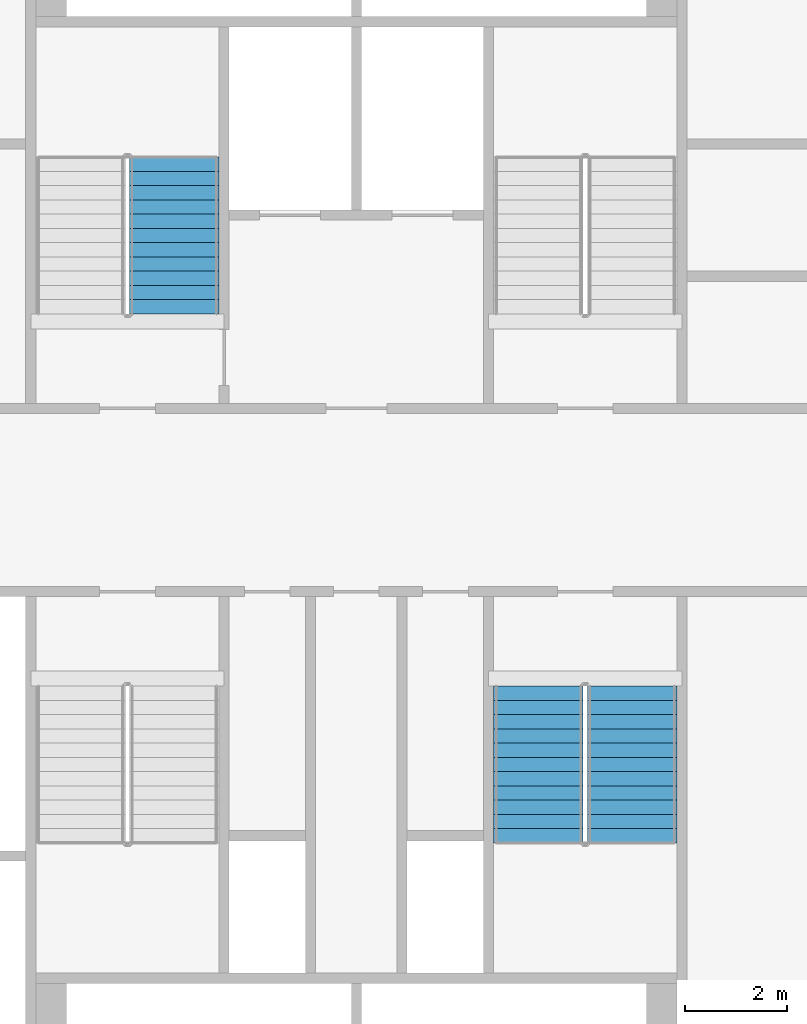
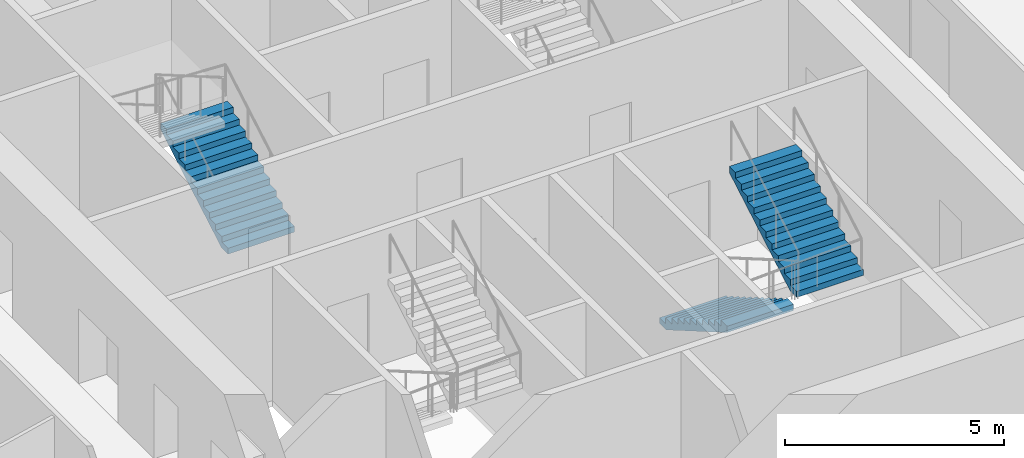
# One storey, part 15 of 22: 3 stair flights, 2 elements without a shape of their own.
"""IFC4 building model written with IfcOpenShell, lengths in metres."""

import ifcopenshell
import ifcopenshell.guid

model = None  # the IFC model being written
_history = None  # IfcOwnerHistory: only IFC2X3 demands one
_inside = {}  # id of a spatial element -> (the spatial element, [elements in it])
_under = {}  # id of a project, library or spatial element -> (it, [spatial elements below it])
_declared = {}  # id of a project -> (the project, [libraries it declares])
_typed = {}  # id of a type object -> (the type object, [elements of that type])
_made_of = {}  # id of a material, layer set ... -> (it, [elements and type objects made of it])


def new_model(schema):
    """Start an empty IFC model of exactly this schema.

    Asked for "IFC4X3", IfcOpenShell would pick the latest addendum, in which some entities
    have other attributes; the version numbers below select the first issue.
    IFC2X3 requires an IfcOwnerHistory on every rooted entity: one is made here for all.
    """
    global model, _history
    if schema == "IFC4X3":
        model = ifcopenshell.file(schema_version=(4, 3, 0, 0))
    else:
        model = ifcopenshell.file(schema=schema)
    _inside.clear()
    _under.clear()
    _declared.clear()
    _typed.clear()
    _made_of.clear()
    _history = None
    if model.schema == "IFC2X3":
        org = make("IfcOrganization", Name="unknown")
        user = make(
            "IfcPersonAndOrganization",
            ThePerson=make("IfcPerson", FamilyName="unknown"),
            TheOrganization=org,
        )
        app = make(
            "IfcApplication",
            ApplicationDeveloper=org,
            Version="unknown",
            ApplicationFullName="unknown",
            ApplicationIdentifier="unknown",
        )
        _history = make(
            "IfcOwnerHistory",
            OwningUser=user,
            OwningApplication=app,
            ChangeAction="ADDED",
            CreationDate=0,
        )
    return model


def make(cls, **values):
    """One entity of the class cls with the attributes given. An attribute that is None is left unset."""
    return model.create_entity(
        cls, **{name: value for name, value in values.items() if value is not None}
    )


def rooted(cls, **values):
    """An entity with a GlobalId (a new one), such as an element, a storey or a relation."""
    return make(cls, GlobalId=ifcopenshell.guid.new(), OwnerHistory=_history, **values)


def si_unit(unit_type, name, prefix=None):
    """IfcSIUnit, for example si_unit("LENGTHUNIT", "METRE", prefix="MILLI")."""
    return make("IfcSIUnit", UnitType=unit_type, Prefix=prefix, Name=name)


def assignment(units):
    """IfcUnitAssignment: the units of a project."""
    return None if units is None else make("IfcUnitAssignment", Units=units)


def point(xyz):
    """IfcCartesianPoint."""
    return None if xyz is None else make("IfcCartesianPoint", Coordinates=xyz)


def direction(xyz):
    """IfcDirection."""
    return None if xyz is None else make("IfcDirection", DirectionRatios=xyz)


def frame(location, z_axis=None, x_axis=None):
    """IfcAxis2Placement3D, a coordinate frame: its origin and axes. An axis left out is left unset."""
    return make(
        "IfcAxis2Placement3D",
        Location=point(location),
        Axis=direction(z_axis),
        RefDirection=direction(x_axis),
    )


def origin():
    """The frame at (0, 0, 0) with its axes left unset."""
    return frame((0.0, 0.0, 0.0))


def place(relative_to, where):
    """IfcLocalPlacement: puts the frame where relative to a parent placement (None: the world)."""
    return make(
        "IfcLocalPlacement", PlacementRelTo=relative_to, RelativePlacement=where
    )


def context(
    kind, dimensions, precision=None, world=None, true_north=None, identifier=None
):
    """IfcGeometricRepresentationContext, for example the 3D "Model" context."""
    return make(
        "IfcGeometricRepresentationContext",
        ContextIdentifier=identifier,
        ContextType=kind,
        CoordinateSpaceDimension=dimensions,
        Precision=precision,
        WorldCoordinateSystem=world,
        TrueNorth=true_north,
    )


def subcontext(parent, identifier, kind, view, scale=None):
    """IfcGeometricRepresentationSubContext, for example "Body" below "Model"."""
    return make(
        "IfcGeometricRepresentationSubContext",
        ContextIdentifier=identifier,
        ContextType=kind,
        ParentContext=parent,
        TargetScale=scale,
        TargetView=view,
    )


def project(units=None, contexts=None):
    """IfcProject with its units and contexts."""
    return rooted(
        "IfcProject",
        Name="project",
        RepresentationContexts=contexts,
        UnitsInContext=assignment(units),
    )


def spatial(cls, under=None, at=None, **own):
    """A site, building, storey or space (cls), placed at a placement, below another one or the project."""
    s = rooted(cls, ObjectPlacement=at, **own)
    if under is not None:
        _under.setdefault(under.id(), (under, []))[1].append(s)
    return s


def faces_of(points, faces, orient=None, outer=None):
    """IfcFace entities. A face is a list of loops; a loop is a list of indices into points, from 0.

    orient and outer hold one flag for each loop. By default every Orientation is true, the
    first loop of a face is its IfcFaceOuterBound and the others are IfcFaceBound.
    """
    made = []
    for i, loops in enumerate(faces):
        bounds = []
        for j, loop in enumerate(loops):
            is_outer = j == 0 if outer is None else outer[i][j]
            bounds.append(
                make(
                    "IfcFaceOuterBound" if is_outer else "IfcFaceBound",
                    Bound=make("IfcPolyLoop", Polygon=[points[k] for k in loop]),
                    Orientation=True if orient is None else orient[i][j],
                )
            )
        made.append(make("IfcFace", Bounds=bounds))
    return made


def faceted_brep(points, faces, orient=None, outer=None, voids=None):
    """IfcFacetedBrep: a solid bounded by flat faces; with voids (closed shells), ...WithVoids."""
    shared = [point(p) for p in points]
    hull = make("IfcClosedShell", CfsFaces=faces_of(shared, faces, orient, outer))
    if voids is None:
        return make("IfcFacetedBrep", Outer=hull)
    return make(
        "IfcFacetedBrepWithVoids",
        Outer=hull,
        Voids=[
            make(cls, CfsFaces=faces_of(shared, fs, o, b)) for cls, fs, o, b in voids
        ],
    )


def shape(context_of_items, identifier, shape_type, items):
    """IfcShapeRepresentation: the items that make up one representation, for example the "Body"."""
    return make(
        "IfcShapeRepresentation",
        ContextOfItems=context_of_items,
        RepresentationIdentifier=identifier,
        RepresentationType=shape_type,
        Items=items,
    )


def material(Name=None, Category=None):
    """IfcMaterial."""
    return make("IfcMaterial", Name=Name, Category=Category)


def made_of(thing, what):
    """Note that an element or type object is made of a material, layer set ...; save() writes the relation."""
    if what is not None:
        _made_of.setdefault(what.id(), (what, []))[1].append(thing)
    return thing


def type_object(cls, material=None, **own):
    """A type object (cls), such as IfcWallType, which elements share."""
    return made_of(rooted(cls, **own), material)


def element(
    cls,
    number,
    at=None,
    inside=None,
    cuts=None,
    type_object=None,
    material=None,
    context=None,
    identifier="Body",
    shape_type=None,
    held_by="IfcProductDefinitionShape",
    body=None,
    shapes=None,
    **own,
):
    """One element of the class cls, such as IfcWall. Its Tag is "e" and its number.

    at: its placement. inside: the storey or other place that contains it. cuts: it is an
    opening in that element (IfcRelVoidsElement). A single representation is given by context,
    identifier, shape_type and body (its items); several are given by shapes. held_by: the class
    of the entity that holds the representations. save() writes the other relations.
    """
    e = rooted(cls, Tag="e%d" % number, ObjectPlacement=at, **own)
    if body is not None:
        shapes = [shape(context, identifier, shape_type, body)]
    if shapes is not None:
        e.Representation = make(held_by, Representations=shapes)
    if inside is not None:
        _inside.setdefault(inside.id(), (inside, []))[1].append(e)
    if cuts is not None:
        rooted(
            "IfcRelVoidsElement", RelatingBuildingElement=cuts, RelatedOpeningElement=e
        )
    if type_object is not None:
        _typed.setdefault(type_object.id(), (type_object, []))[1].append(e)
    return made_of(e, material)


def aggregate(whole, parts):
    """IfcRelAggregates: a whole, such as a stair, and the parts it consists of."""
    return rooted("IfcRelAggregates", RelatingObject=whole, RelatedObjects=parts)


def save(model, path):
    """Write the relations noted so far, then the file.

    IfcRelAggregates (storeys below a building ...), IfcRelContainedInSpatialStructure (elements
    in a storey), IfcRelDefinesByType, IfcRelAssociatesMaterial and IfcRelDeclares: one each for
    every whole, place, type object, material and project.
    """
    for whole, parts in _under.values():
        aggregate(whole, parts)
    for where, things in _inside.values():
        rooted(
            "IfcRelContainedInSpatialStructure",
            RelatedElements=things,
            RelatingStructure=where,
        )
    for kind, things in _typed.values():
        rooted("IfcRelDefinesByType", RelatedObjects=things, RelatingType=kind)
    for what, things in _made_of.values():
        rooted("IfcRelAssociatesMaterial", RelatedObjects=things, RelatingMaterial=what)
    for by, libraries in _declared.values():
        rooted("IfcRelDeclares", RelatingContext=by, RelatedDefinitions=libraries)
    model.write(path)


model = new_model("IFC4")

# Units and contexts
model_context = context("Model", 3, precision=1e-05, world=origin(), true_north=direction((0.0, 1.0)))
body_context = subcontext(model_context, "Body", "Model", "MODEL_VIEW")
ifc_project = project(units=[si_unit("LENGTHUNIT", "METRE"), si_unit("AREAUNIT", "SQUARE_METRE"), si_unit("VOLUMEUNIT", "CUBIC_METRE"), si_unit("PLANEANGLEUNIT", "RADIAN"), si_unit("MASSUNIT", "GRAM", prefix="KILO")], contexts=[model_context])

# Site, building, storey
site_placement = place(None, origin())
site = spatial("IfcSite", under=ifc_project, at=site_placement, CompositionType="ELEMENT")
building_placement = place(site_placement, origin())
building = spatial("IfcBuilding", under=site, at=building_placement, Name="Tarsis Ring Headquarters", CompositionType="ELEMENT")
storey_placement = place(building_placement, frame((0.0, 0.0, 116.199951171875)))
storey = spatial("IfcBuildingStorey", under=building, at=storey_placement, Name="L26", CompositionType="ELEMENT", Elevation=116.199951171875)

# Stair, stair flight
ifc_material_1 = material(Name="Core stair 1760")
stair_type = type_object("IfcStairType", Name="Core stair 1760", PredefinedType="HALF_TURN_STAIR", material=ifc_material_1)
stair_1_placement = place(storey_placement, origin())
stair_1 = element("IfcStair", 1, at=stair_1_placement, inside=storey, type_object=stair_type, Name="L26 Firefighting stair", PredefinedType="HALF_TURN_STAIR")
ifc_material_2 = material(Name="Concrete C40/50", Category="concrete")
stair_flight_type = type_object("IfcStairFlightType", Name="Core stair flight 1760", PredefinedType="STRAIGHT", material=ifc_material_2)
stair_flight_1_placement = place(storey_placement, frame((-3.580078125, 3.659912109375, 0.0), z_axis=(0.0, 0.0, 1.0), x_axis=(0.0, 1.0, 0.0)))
stair_flight_1 = element("IfcStairFlight", 2, at=stair_flight_1_placement, type_object=stair_flight_type, Name="Stair ST1 flight 1", NumberOfRisers=12, NumberOfTreads=11, PredefinedType="STRAIGHT", RiserHeight=0.1625, TreadLength=0.28, context=body_context, shape_type="Brep", body=[
    faceted_brep([(0.0, 0.8798828125, 0.0), (0.0, 0.8798828125, 0.16259765625), (0.280029296875, 0.8798828125, 0.16259765625), (0.280029296875, 0.8798828125, 0.324951171875), (0.56005859375, 0.8798828125, 0.324951171875), (0.56005859375, 0.8798828125, 0.487548828125), (0.840087890625, 0.8798828125, 0.487548828125), (0.840087890625, 0.8798828125, 0.64990234375), (1.1201171875, 0.8798828125, 0.64990234375), (1.1201171875, 0.8798828125, 0.8125), (1.39990234375, 0.8798828125, 0.8125), (1.39990234375, 0.8798828125, 0.97509765625), (1.679931640625, 0.8798828125, 0.97509765625), (1.679931640625, 0.8798828125, 1.137451171875), (1.9599609375, 0.8798828125, 1.137451171875), (1.9599609375, 0.8798828125, 1.300048828125), (2.239990234375, 0.8798828125, 1.300048828125), (2.239990234375, 0.8798828125, 1.46240234375), (2.52001953125, 0.8798828125, 1.46240234375), (2.52001953125, 0.8798828125, 1.625), (2.800048828125, 0.8798828125, 1.625), (2.800048828125, 0.8798828125, 1.78759765625), (3.080078125, 0.8798828125, 1.78759765625), (3.080078125, 0.8798828125, 1.6142578125), (0.298583984375, 0.8798828125, 0.0), (0.298583984375, -0.8798828125, 0.0), (3.080078125, -0.8798828125, 1.6142578125), (3.080078125, -0.8798828125, 1.78759765625), (2.800048828125, -0.8798828125, 1.78759765625), (2.800048828125, -0.8798828125, 1.625), (2.52001953125, -0.8798828125, 1.625), (2.52001953125, -0.8798828125, 1.46240234375), (2.239990234375, -0.8798828125, 1.46240234375), (2.239990234375, -0.8798828125, 1.300048828125), (1.9599609375, -0.8798828125, 1.300048828125), (1.9599609375, -0.8798828125, 1.137451171875), (1.679931640625, -0.8798828125, 1.137451171875), (1.679931640625, -0.8798828125, 0.97509765625), (1.39990234375, -0.8798828125, 0.97509765625), (1.39990234375, -0.8798828125, 0.8125), (1.1201171875, -0.8798828125, 0.8125), (1.1201171875, -0.8798828125, 0.64990234375), (0.840087890625, -0.8798828125, 0.64990234375), (0.840087890625, -0.8798828125, 0.487548828125), (0.56005859375, -0.8798828125, 0.487548828125), (0.56005859375, -0.8798828125, 0.324951171875), (0.280029296875, -0.8798828125, 0.324951171875), (0.280029296875, -0.8798828125, 0.16259765625), (0.0, -0.8798828125, 0.16259765625), (0.0, -0.8798828125, 0.0), (0.0, -0.43994140625, 0.16259765625), (0.0, -0.43994140625, 0.0), (0.0, 0.0, 0.16259765625), (0.0, 0.0, 0.0), (0.0, 0.43994140625, 0.16259765625), (0.0, 0.43994140625, 0.0), (0.280029296875, -0.43994140625, 0.16259765625), (0.280029296875, 0.0, 0.16259765625), (0.280029296875, 0.43994140625, 0.16259765625), (0.280029296875, -0.43994140625, 0.324951171875), (0.280029296875, 0.0, 0.324951171875), (0.280029296875, 0.43994140625, 0.324951171875), (0.56005859375, -0.43994140625, 0.324951171875), (0.56005859375, 0.0, 0.324951171875), (0.56005859375, 0.43994140625, 0.324951171875), (0.56005859375, -0.43994140625, 0.487548828125), (0.56005859375, 0.0, 0.487548828125), (0.56005859375, 0.43994140625, 0.487548828125), (0.840087890625, -0.43994140625, 0.487548828125), (0.840087890625, 0.0, 0.487548828125), (0.840087890625, 0.43994140625, 0.487548828125), (0.840087890625, -0.43994140625, 0.64990234375), (0.840087890625, 0.0, 0.64990234375), (0.840087890625, 0.43994140625, 0.64990234375), (1.1201171875, -0.43994140625, 0.64990234375), (1.1201171875, 0.0, 0.64990234375), (1.1201171875, 0.43994140625, 0.64990234375), (1.1201171875, -0.43994140625, 0.8125), (1.1201171875, 0.0, 0.8125), (1.1201171875, 0.43994140625, 0.8125), (1.39990234375, -0.43994140625, 0.8125), (1.39990234375, 0.0, 0.8125), (1.39990234375, 0.43994140625, 0.8125), (1.39990234375, -0.43994140625, 0.97509765625), (1.39990234375, 0.0, 0.97509765625), (1.39990234375, 0.43994140625, 0.97509765625), (1.679931640625, -0.43994140625, 0.97509765625), (1.679931640625, 0.0, 0.97509765625), (1.679931640625, 0.43994140625, 0.97509765625), (1.679931640625, -0.43994140625, 1.137451171875), (1.679931640625, 0.0, 1.137451171875), (1.679931640625, 0.43994140625, 1.137451171875), (1.9599609375, -0.43994140625, 1.137451171875), (1.9599609375, 0.0, 1.137451171875), (1.9599609375, 0.43994140625, 1.137451171875), (1.9599609375, -0.43994140625, 1.300048828125), (1.9599609375, 0.0, 1.300048828125), (1.9599609375, 0.43994140625, 1.300048828125), (2.239990234375, -0.43994140625, 1.300048828125), (2.239990234375, 0.0, 1.300048828125), (2.239990234375, 0.43994140625, 1.300048828125), (2.239990234375, -0.43994140625, 1.46240234375), (2.239990234375, 0.0, 1.46240234375), (2.239990234375, 0.43994140625, 1.46240234375), (2.52001953125, -0.43994140625, 1.46240234375), (2.52001953125, 0.0, 1.46240234375), (2.52001953125, 0.43994140625, 1.46240234375), (2.52001953125, -0.43994140625, 1.625), (2.52001953125, 0.0, 1.625), (2.52001953125, 0.43994140625, 1.625), (2.800048828125, -0.43994140625, 1.625), (2.800048828125, 0.0, 1.625), (2.800048828125, 0.43994140625, 1.625), (2.800048828125, -0.43994140625, 1.78759765625), (2.800048828125, 0.0, 1.78759765625), (2.800048828125, 0.43994140625, 1.78759765625), (3.080078125, -0.43994140625, 1.78759765625), (3.080078125, 0.0, 1.78759765625), (3.080078125, 0.43994140625, 1.78759765625), (3.080078125, -0.43994140625, 1.6142578125), (3.080078125, 0.0, 1.6142578125), (3.080078125, 0.43994140625, 1.6142578125), (0.298583984375, -0.43994140625, 0.0), (0.298583984375, 0.0, 0.0), (0.298583984375, 0.43994140625, 0.0)], [[[0, 1, 2, 3, 4, 5, 6, 7, 8, 9, 10, 11, 12, 13, 14, 15, 16, 17, 18, 19, 20, 21, 22, 23, 24]], [[25, 26, 27, 28, 29, 30, 31, 32, 33, 34, 35, 36, 37, 38, 39, 40, 41, 42, 43, 44, 45, 46, 47, 48, 49]], [[49, 48, 50, 51]], [[51, 50, 52, 53]], [[53, 52, 54, 55]], [[55, 54, 1, 0]], [[48, 47, 56, 50]], [[50, 56, 57, 52]], [[52, 57, 58, 54]], [[54, 58, 2, 1]], [[47, 46, 59, 56]], [[56, 59, 60, 57]], [[57, 60, 61, 58]], [[58, 61, 3, 2]], [[46, 45, 62, 59]], [[59, 62, 63, 60]], [[60, 63, 64, 61]], [[61, 64, 4, 3]], [[45, 44, 65, 62]], [[62, 65, 66, 63]], [[63, 66, 67, 64]], [[64, 67, 5, 4]], [[44, 43, 68, 65]], [[65, 68, 69, 66]], [[66, 69, 70, 67]], [[67, 70, 6, 5]], [[43, 42, 71, 68]], [[68, 71, 72, 69]], [[69, 72, 73, 70]], [[70, 73, 7, 6]], [[42, 41, 74, 71]], [[71, 74, 75, 72]], [[72, 75, 76, 73]], [[73, 76, 8, 7]], [[41, 40, 77, 74]], [[74, 77, 78, 75]], [[75, 78, 79, 76]], [[76, 79, 9, 8]], [[40, 39, 80, 77]], [[77, 80, 81, 78]], [[78, 81, 82, 79]], [[79, 82, 10, 9]], [[39, 38, 83, 80]], [[80, 83, 84, 81]], [[81, 84, 85, 82]], [[82, 85, 11, 10]], [[38, 37, 86, 83]], [[83, 86, 87, 84]], [[84, 87, 88, 85]], [[85, 88, 12, 11]], [[37, 36, 89, 86]], [[86, 89, 90, 87]], [[87, 90, 91, 88]], [[88, 91, 13, 12]], [[36, 35, 92, 89]], [[89, 92, 93, 90]], [[90, 93, 94, 91]], [[91, 94, 14, 13]], [[35, 34, 95, 92]], [[92, 95, 96, 93]], [[93, 96, 97, 94]], [[94, 97, 15, 14]], [[34, 33, 98, 95]], [[95, 98, 99, 96]], [[96, 99, 100, 97]], [[97, 100, 16, 15]], [[33, 32, 101, 98]], [[98, 101, 102, 99]], [[99, 102, 103, 100]], [[100, 103, 17, 16]], [[32, 31, 104, 101]], [[101, 104, 105, 102]], [[102, 105, 106, 103]], [[103, 106, 18, 17]], [[31, 30, 107, 104]], [[104, 107, 108, 105]], [[105, 108, 109, 106]], [[106, 109, 19, 18]], [[30, 29, 110, 107]], [[107, 110, 111, 108]], [[108, 111, 112, 109]], [[109, 112, 20, 19]], [[29, 28, 113, 110]], [[110, 113, 114, 111]], [[111, 114, 115, 112]], [[112, 115, 21, 20]], [[28, 27, 116, 113]], [[113, 116, 117, 114]], [[114, 117, 118, 115]], [[115, 118, 22, 21]], [[27, 26, 119, 116]], [[116, 119, 120, 117]], [[117, 120, 121, 118]], [[118, 121, 23, 22]], [[26, 25, 122, 119]], [[119, 122, 123, 120]], [[120, 123, 124, 121]], [[121, 124, 24, 23]], [[25, 49, 51, 122]], [[122, 51, 53, 123]], [[123, 53, 55, 124]], [[124, 55, 0, 24]]]),
])
aggregate(stair_1, [stair_flight_1])

# Stair, stair flights
stair_2_placement = place(storey_placement, origin())
stair_2 = element("IfcStair", 3, at=stair_2_placement, inside=storey, type_object=stair_type, Name="L26 Exit stair D", PredefinedType="HALF_TURN_STAIR")
stair_flight_2_placement = place(storey_placement, frame((3.580078125, -3.659912109375, 0.0), z_axis=(0.0, 0.0, 1.0), x_axis=(0.0, -1.0, 0.0)))
stair_flight_2 = element("IfcStairFlight", 4, at=stair_flight_2_placement, type_object=stair_flight_type, Name="Stair ST4 flight 1", NumberOfRisers=12, NumberOfTreads=11, PredefinedType="STRAIGHT", RiserHeight=0.1625, TreadLength=0.28, context=body_context, shape_type="Brep", body=[
    faceted_brep([(0.0, 0.8798828125, 0.0), (0.0, 0.8798828125, 0.16259765625), (0.280029296875, 0.8798828125, 0.16259765625), (0.280029296875, 0.8798828125, 0.324951171875), (0.56005859375, 0.8798828125, 0.324951171875), (0.56005859375, 0.8798828125, 0.487548828125), (0.840087890625, 0.8798828125, 0.487548828125), (0.840087890625, 0.8798828125, 0.64990234375), (1.1201171875, 0.8798828125, 0.64990234375), (1.1201171875, 0.8798828125, 0.8125), (1.39990234375, 0.8798828125, 0.8125), (1.39990234375, 0.8798828125, 0.97509765625), (1.679931640625, 0.8798828125, 0.97509765625), (1.679931640625, 0.8798828125, 1.137451171875), (1.9599609375, 0.8798828125, 1.137451171875), (1.9599609375, 0.8798828125, 1.300048828125), (2.239990234375, 0.8798828125, 1.300048828125), (2.239990234375, 0.8798828125, 1.46240234375), (2.52001953125, 0.8798828125, 1.46240234375), (2.52001953125, 0.8798828125, 1.625), (2.800048828125, 0.8798828125, 1.625), (2.800048828125, 0.8798828125, 1.78759765625), (3.080078125, 0.8798828125, 1.78759765625), (3.080078125, 0.8798828125, 1.6142578125), (0.298583984375, 0.8798828125, 0.0), (0.298583984375, -0.8798828125, 0.0), (3.080078125, -0.8798828125, 1.6142578125), (3.080078125, -0.8798828125, 1.78759765625), (2.800048828125, -0.8798828125, 1.78759765625), (2.800048828125, -0.8798828125, 1.625), (2.52001953125, -0.8798828125, 1.625), (2.52001953125, -0.8798828125, 1.46240234375), (2.239990234375, -0.8798828125, 1.46240234375), (2.239990234375, -0.8798828125, 1.300048828125), (1.9599609375, -0.8798828125, 1.300048828125), (1.9599609375, -0.8798828125, 1.137451171875), (1.679931640625, -0.8798828125, 1.137451171875), (1.679931640625, -0.8798828125, 0.97509765625), (1.39990234375, -0.8798828125, 0.97509765625), (1.39990234375, -0.8798828125, 0.8125), (1.1201171875, -0.8798828125, 0.8125), (1.1201171875, -0.8798828125, 0.64990234375), (0.840087890625, -0.8798828125, 0.64990234375), (0.840087890625, -0.8798828125, 0.487548828125), (0.56005859375, -0.8798828125, 0.487548828125), (0.56005859375, -0.8798828125, 0.324951171875), (0.280029296875, -0.8798828125, 0.324951171875), (0.280029296875, -0.8798828125, 0.16259765625), (0.0, -0.8798828125, 0.16259765625), (0.0, -0.8798828125, 0.0), (0.0, -0.43994140625, 0.16259765625), (0.0, -0.43994140625, 0.0), (0.0, 0.0, 0.16259765625), (0.0, 0.0, 0.0), (0.0, 0.43994140625, 0.16259765625), (0.0, 0.43994140625, 0.0), (0.280029296875, -0.43994140625, 0.16259765625), (0.280029296875, 0.0, 0.16259765625), (0.280029296875, 0.43994140625, 0.16259765625), (0.280029296875, -0.43994140625, 0.324951171875), (0.280029296875, 0.0, 0.324951171875), (0.280029296875, 0.43994140625, 0.324951171875), (0.56005859375, -0.43994140625, 0.324951171875), (0.56005859375, 0.0, 0.324951171875), (0.56005859375, 0.43994140625, 0.324951171875), (0.56005859375, -0.43994140625, 0.487548828125), (0.56005859375, 0.0, 0.487548828125), (0.56005859375, 0.43994140625, 0.487548828125), (0.840087890625, -0.43994140625, 0.487548828125), (0.840087890625, 0.0, 0.487548828125), (0.840087890625, 0.43994140625, 0.487548828125), (0.840087890625, -0.43994140625, 0.64990234375), (0.840087890625, 0.0, 0.64990234375), (0.840087890625, 0.43994140625, 0.64990234375), (1.1201171875, -0.43994140625, 0.64990234375), (1.1201171875, 0.0, 0.64990234375), (1.1201171875, 0.43994140625, 0.64990234375), (1.1201171875, -0.43994140625, 0.8125), (1.1201171875, 0.0, 0.8125), (1.1201171875, 0.43994140625, 0.8125), (1.39990234375, -0.43994140625, 0.8125), (1.39990234375, 0.0, 0.8125), (1.39990234375, 0.43994140625, 0.8125), (1.39990234375, -0.43994140625, 0.97509765625), (1.39990234375, 0.0, 0.97509765625), (1.39990234375, 0.43994140625, 0.97509765625), (1.679931640625, -0.43994140625, 0.97509765625), (1.679931640625, 0.0, 0.97509765625), (1.679931640625, 0.43994140625, 0.97509765625), (1.679931640625, -0.43994140625, 1.137451171875), (1.679931640625, 0.0, 1.137451171875), (1.679931640625, 0.43994140625, 1.137451171875), (1.9599609375, -0.43994140625, 1.137451171875), (1.9599609375, 0.0, 1.137451171875), (1.9599609375, 0.43994140625, 1.137451171875), (1.9599609375, -0.43994140625, 1.300048828125), (1.9599609375, 0.0, 1.300048828125), (1.9599609375, 0.43994140625, 1.300048828125), (2.239990234375, -0.43994140625, 1.300048828125), (2.239990234375, 0.0, 1.300048828125), (2.239990234375, 0.43994140625, 1.300048828125), (2.239990234375, -0.43994140625, 1.46240234375), (2.239990234375, 0.0, 1.46240234375), (2.239990234375, 0.43994140625, 1.46240234375), (2.52001953125, -0.43994140625, 1.46240234375), (2.52001953125, 0.0, 1.46240234375), (2.52001953125, 0.43994140625, 1.46240234375), (2.52001953125, -0.43994140625, 1.625), (2.52001953125, 0.0, 1.625), (2.52001953125, 0.43994140625, 1.625), (2.800048828125, -0.43994140625, 1.625), (2.800048828125, 0.0, 1.625), (2.800048828125, 0.43994140625, 1.625), (2.800048828125, -0.43994140625, 1.78759765625), (2.800048828125, 0.0, 1.78759765625), (2.800048828125, 0.43994140625, 1.78759765625), (3.080078125, -0.43994140625, 1.78759765625), (3.080078125, 0.0, 1.78759765625), (3.080078125, 0.43994140625, 1.78759765625), (3.080078125, -0.43994140625, 1.6142578125), (3.080078125, 0.0, 1.6142578125), (3.080078125, 0.43994140625, 1.6142578125), (0.298583984375, -0.43994140625, 0.0), (0.298583984375, 0.0, 0.0), (0.298583984375, 0.43994140625, 0.0)], [[[0, 1, 2, 3, 4, 5, 6, 7, 8, 9, 10, 11, 12, 13, 14, 15, 16, 17, 18, 19, 20, 21, 22, 23, 24]], [[25, 26, 27, 28, 29, 30, 31, 32, 33, 34, 35, 36, 37, 38, 39, 40, 41, 42, 43, 44, 45, 46, 47, 48, 49]], [[49, 48, 50, 51]], [[51, 50, 52, 53]], [[53, 52, 54, 55]], [[55, 54, 1, 0]], [[48, 47, 56, 50]], [[50, 56, 57, 52]], [[52, 57, 58, 54]], [[54, 58, 2, 1]], [[47, 46, 59, 56]], [[56, 59, 60, 57]], [[57, 60, 61, 58]], [[58, 61, 3, 2]], [[46, 45, 62, 59]], [[59, 62, 63, 60]], [[60, 63, 64, 61]], [[61, 64, 4, 3]], [[45, 44, 65, 62]], [[62, 65, 66, 63]], [[63, 66, 67, 64]], [[64, 67, 5, 4]], [[44, 43, 68, 65]], [[65, 68, 69, 66]], [[66, 69, 70, 67]], [[67, 70, 6, 5]], [[43, 42, 71, 68]], [[68, 71, 72, 69]], [[69, 72, 73, 70]], [[70, 73, 7, 6]], [[42, 41, 74, 71]], [[71, 74, 75, 72]], [[72, 75, 76, 73]], [[73, 76, 8, 7]], [[41, 40, 77, 74]], [[74, 77, 78, 75]], [[75, 78, 79, 76]], [[76, 79, 9, 8]], [[40, 39, 80, 77]], [[77, 80, 81, 78]], [[78, 81, 82, 79]], [[79, 82, 10, 9]], [[39, 38, 83, 80]], [[80, 83, 84, 81]], [[81, 84, 85, 82]], [[82, 85, 11, 10]], [[38, 37, 86, 83]], [[83, 86, 87, 84]], [[84, 87, 88, 85]], [[85, 88, 12, 11]], [[37, 36, 89, 86]], [[86, 89, 90, 87]], [[87, 90, 91, 88]], [[88, 91, 13, 12]], [[36, 35, 92, 89]], [[89, 92, 93, 90]], [[90, 93, 94, 91]], [[91, 94, 14, 13]], [[35, 34, 95, 92]], [[92, 95, 96, 93]], [[93, 96, 97, 94]], [[94, 97, 15, 14]], [[34, 33, 98, 95]], [[95, 98, 99, 96]], [[96, 99, 100, 97]], [[97, 100, 16, 15]], [[33, 32, 101, 98]], [[98, 101, 102, 99]], [[99, 102, 103, 100]], [[100, 103, 17, 16]], [[32, 31, 104, 101]], [[101, 104, 105, 102]], [[102, 105, 106, 103]], [[103, 106, 18, 17]], [[31, 30, 107, 104]], [[104, 107, 108, 105]], [[105, 108, 109, 106]], [[106, 109, 19, 18]], [[30, 29, 110, 107]], [[107, 110, 111, 108]], [[108, 111, 112, 109]], [[109, 112, 20, 19]], [[29, 28, 113, 110]], [[110, 113, 114, 111]], [[111, 114, 115, 112]], [[112, 115, 21, 20]], [[28, 27, 116, 113]], [[113, 116, 117, 114]], [[114, 117, 118, 115]], [[115, 118, 22, 21]], [[27, 26, 119, 116]], [[116, 119, 120, 117]], [[117, 120, 121, 118]], [[118, 121, 23, 22]], [[26, 25, 122, 119]], [[119, 122, 123, 120]], [[120, 123, 124, 121]], [[121, 124, 24, 23]], [[25, 49, 51, 122]], [[122, 51, 53, 123]], [[123, 53, 55, 124]], [[124, 55, 0, 24]]]),
])
stair_flight_3_placement = place(storey_placement, frame((5.419921875, -6.739990234375, 1.949951171875), z_axis=(0.0, 0.0, 1.0), x_axis=(0.0, 1.0, 0.0)))
stair_flight_3 = element("IfcStairFlight", 5, at=stair_flight_3_placement, type_object=stair_flight_type, Name="Stair ST4 flight 2", NumberOfRisers=12, NumberOfTreads=11, PredefinedType="STRAIGHT", RiserHeight=0.1625, TreadLength=0.28, context=body_context, shape_type="Brep", body=[
    faceted_brep([(0.0, 0.8798828125, 0.0), (0.0, 0.8798828125, 0.16259765625), (0.280029296875, 0.8798828125, 0.16259765625), (0.280029296875, 0.8798828125, 0.324951171875), (0.56005859375, 0.8798828125, 0.324951171875), (0.56005859375, 0.8798828125, 0.487548828125), (0.840087890625, 0.8798828125, 0.487548828125), (0.840087890625, 0.8798828125, 0.64990234375), (1.1201171875, 0.8798828125, 0.64990234375), (1.1201171875, 0.8798828125, 0.8125), (1.39990234375, 0.8798828125, 0.8125), (1.39990234375, 0.8798828125, 0.97509765625), (1.679931640625, 0.8798828125, 0.97509765625), (1.679931640625, 0.8798828125, 1.137451171875), (1.9599609375, 0.8798828125, 1.137451171875), (1.9599609375, 0.8798828125, 1.300048828125), (2.239990234375, 0.8798828125, 1.300048828125), (2.239990234375, 0.8798828125, 1.46240234375), (2.52001953125, 0.8798828125, 1.46240234375), (2.52001953125, 0.8798828125, 1.625), (2.800048828125, 0.8798828125, 1.625), (2.800048828125, 0.8798828125, 1.78759765625), (3.080078125, 0.8798828125, 1.78759765625), (3.080078125, 0.8798828125, 1.6142578125), (0.298583984375, 0.8798828125, 0.0), (0.298583984375, -0.8798828125, 0.0), (3.080078125, -0.8798828125, 1.6142578125), (3.080078125, -0.8798828125, 1.78759765625), (2.800048828125, -0.8798828125, 1.78759765625), (2.800048828125, -0.8798828125, 1.625), (2.52001953125, -0.8798828125, 1.625), (2.52001953125, -0.8798828125, 1.46240234375), (2.239990234375, -0.8798828125, 1.46240234375), (2.239990234375, -0.8798828125, 1.300048828125), (1.9599609375, -0.8798828125, 1.300048828125), (1.9599609375, -0.8798828125, 1.137451171875), (1.679931640625, -0.8798828125, 1.137451171875), (1.679931640625, -0.8798828125, 0.97509765625), (1.39990234375, -0.8798828125, 0.97509765625), (1.39990234375, -0.8798828125, 0.8125), (1.1201171875, -0.8798828125, 0.8125), (1.1201171875, -0.8798828125, 0.64990234375), (0.840087890625, -0.8798828125, 0.64990234375), (0.840087890625, -0.8798828125, 0.487548828125), (0.56005859375, -0.8798828125, 0.487548828125), (0.56005859375, -0.8798828125, 0.324951171875), (0.280029296875, -0.8798828125, 0.324951171875), (0.280029296875, -0.8798828125, 0.16259765625), (0.0, -0.8798828125, 0.16259765625), (0.0, -0.8798828125, 0.0), (0.0, -0.43994140625, 0.16259765625), (0.0, -0.43994140625, 0.0), (0.0, 0.0, 0.16259765625), (0.0, 0.0, 0.0), (0.0, 0.43994140625, 0.16259765625), (0.0, 0.43994140625, 0.0), (0.280029296875, -0.43994140625, 0.16259765625), (0.280029296875, 0.0, 0.16259765625), (0.280029296875, 0.43994140625, 0.16259765625), (0.280029296875, -0.43994140625, 0.324951171875), (0.280029296875, 0.0, 0.324951171875), (0.280029296875, 0.43994140625, 0.324951171875), (0.56005859375, -0.43994140625, 0.324951171875), (0.56005859375, 0.0, 0.324951171875), (0.56005859375, 0.43994140625, 0.324951171875), (0.56005859375, -0.43994140625, 0.487548828125), (0.56005859375, 0.0, 0.487548828125), (0.56005859375, 0.43994140625, 0.487548828125), (0.840087890625, -0.43994140625, 0.487548828125), (0.840087890625, 0.0, 0.487548828125), (0.840087890625, 0.43994140625, 0.487548828125), (0.840087890625, -0.43994140625, 0.64990234375), (0.840087890625, 0.0, 0.64990234375), (0.840087890625, 0.43994140625, 0.64990234375), (1.1201171875, -0.43994140625, 0.64990234375), (1.1201171875, 0.0, 0.64990234375), (1.1201171875, 0.43994140625, 0.64990234375), (1.1201171875, -0.43994140625, 0.8125), (1.1201171875, 0.0, 0.8125), (1.1201171875, 0.43994140625, 0.8125), (1.39990234375, -0.43994140625, 0.8125), (1.39990234375, 0.0, 0.8125), (1.39990234375, 0.43994140625, 0.8125), (1.39990234375, -0.43994140625, 0.97509765625), (1.39990234375, 0.0, 0.97509765625), (1.39990234375, 0.43994140625, 0.97509765625), (1.679931640625, -0.43994140625, 0.97509765625), (1.679931640625, 0.0, 0.97509765625), (1.679931640625, 0.43994140625, 0.97509765625), (1.679931640625, -0.43994140625, 1.137451171875), (1.679931640625, 0.0, 1.137451171875), (1.679931640625, 0.43994140625, 1.137451171875), (1.9599609375, -0.43994140625, 1.137451171875), (1.9599609375, 0.0, 1.137451171875), (1.9599609375, 0.43994140625, 1.137451171875), (1.9599609375, -0.43994140625, 1.300048828125), (1.9599609375, 0.0, 1.300048828125), (1.9599609375, 0.43994140625, 1.300048828125), (2.239990234375, -0.43994140625, 1.300048828125), (2.239990234375, 0.0, 1.300048828125), (2.239990234375, 0.43994140625, 1.300048828125), (2.239990234375, -0.43994140625, 1.46240234375), (2.239990234375, 0.0, 1.46240234375), (2.239990234375, 0.43994140625, 1.46240234375), (2.52001953125, -0.43994140625, 1.46240234375), (2.52001953125, 0.0, 1.46240234375), (2.52001953125, 0.43994140625, 1.46240234375), (2.52001953125, -0.43994140625, 1.625), (2.52001953125, 0.0, 1.625), (2.52001953125, 0.43994140625, 1.625), (2.800048828125, -0.43994140625, 1.625), (2.800048828125, 0.0, 1.625), (2.800048828125, 0.43994140625, 1.625), (2.800048828125, -0.43994140625, 1.78759765625), (2.800048828125, 0.0, 1.78759765625), (2.800048828125, 0.43994140625, 1.78759765625), (3.080078125, -0.43994140625, 1.78759765625), (3.080078125, 0.0, 1.78759765625), (3.080078125, 0.43994140625, 1.78759765625), (3.080078125, -0.43994140625, 1.6142578125), (3.080078125, 0.0, 1.6142578125), (3.080078125, 0.43994140625, 1.6142578125), (0.298583984375, -0.43994140625, 0.0), (0.298583984375, 0.0, 0.0), (0.298583984375, 0.43994140625, 0.0)], [[[0, 1, 2, 3, 4, 5, 6, 7, 8, 9, 10, 11, 12, 13, 14, 15, 16, 17, 18, 19, 20, 21, 22, 23, 24]], [[25, 26, 27, 28, 29, 30, 31, 32, 33, 34, 35, 36, 37, 38, 39, 40, 41, 42, 43, 44, 45, 46, 47, 48, 49]], [[49, 48, 50, 51]], [[51, 50, 52, 53]], [[53, 52, 54, 55]], [[55, 54, 1, 0]], [[48, 47, 56, 50]], [[50, 56, 57, 52]], [[52, 57, 58, 54]], [[54, 58, 2, 1]], [[47, 46, 59, 56]], [[56, 59, 60, 57]], [[57, 60, 61, 58]], [[58, 61, 3, 2]], [[46, 45, 62, 59]], [[59, 62, 63, 60]], [[60, 63, 64, 61]], [[61, 64, 4, 3]], [[45, 44, 65, 62]], [[62, 65, 66, 63]], [[63, 66, 67, 64]], [[64, 67, 5, 4]], [[44, 43, 68, 65]], [[65, 68, 69, 66]], [[66, 69, 70, 67]], [[67, 70, 6, 5]], [[43, 42, 71, 68]], [[68, 71, 72, 69]], [[69, 72, 73, 70]], [[70, 73, 7, 6]], [[42, 41, 74, 71]], [[71, 74, 75, 72]], [[72, 75, 76, 73]], [[73, 76, 8, 7]], [[41, 40, 77, 74]], [[74, 77, 78, 75]], [[75, 78, 79, 76]], [[76, 79, 9, 8]], [[40, 39, 80, 77]], [[77, 80, 81, 78]], [[78, 81, 82, 79]], [[79, 82, 10, 9]], [[39, 38, 83, 80]], [[80, 83, 84, 81]], [[81, 84, 85, 82]], [[82, 85, 11, 10]], [[38, 37, 86, 83]], [[83, 86, 87, 84]], [[84, 87, 88, 85]], [[85, 88, 12, 11]], [[37, 36, 89, 86]], [[86, 89, 90, 87]], [[87, 90, 91, 88]], [[88, 91, 13, 12]], [[36, 35, 92, 89]], [[89, 92, 93, 90]], [[90, 93, 94, 91]], [[91, 94, 14, 13]], [[35, 34, 95, 92]], [[92, 95, 96, 93]], [[93, 96, 97, 94]], [[94, 97, 15, 14]], [[34, 33, 98, 95]], [[95, 98, 99, 96]], [[96, 99, 100, 97]], [[97, 100, 16, 15]], [[33, 32, 101, 98]], [[98, 101, 102, 99]], [[99, 102, 103, 100]], [[100, 103, 17, 16]], [[32, 31, 104, 101]], [[101, 104, 105, 102]], [[102, 105, 106, 103]], [[103, 106, 18, 17]], [[31, 30, 107, 104]], [[104, 107, 108, 105]], [[105, 108, 109, 106]], [[106, 109, 19, 18]], [[30, 29, 110, 107]], [[107, 110, 111, 108]], [[108, 111, 112, 109]], [[109, 112, 20, 19]], [[29, 28, 113, 110]], [[110, 113, 114, 111]], [[111, 114, 115, 112]], [[112, 115, 21, 20]], [[28, 27, 116, 113]], [[113, 116, 117, 114]], [[114, 117, 118, 115]], [[115, 118, 22, 21]], [[27, 26, 119, 116]], [[116, 119, 120, 117]], [[117, 120, 121, 118]], [[118, 121, 23, 22]], [[26, 25, 122, 119]], [[119, 122, 123, 120]], [[120, 123, 124, 121]], [[121, 124, 24, 23]], [[25, 49, 51, 122]], [[122, 51, 53, 123]], [[123, 53, 55, 124]], [[124, 55, 0, 24]]]),
])
aggregate(stair_2, [stair_flight_2, stair_flight_3])

save(model, "model.ifc")
